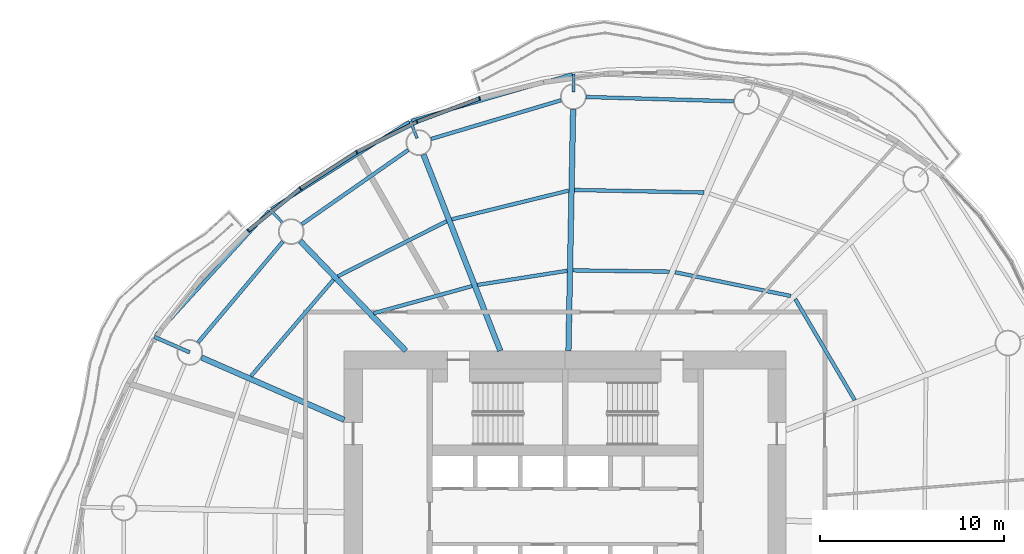
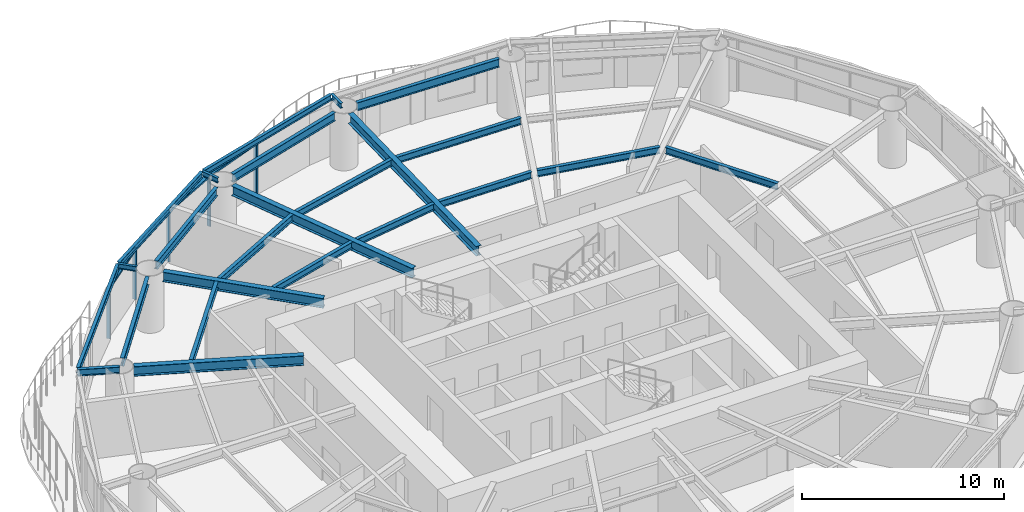
# One storey, part 5 of 15: 24 beams, 9 members, 4 elements without a shape of their own.
"""IFC4 building model written with IfcOpenShell, lengths in metres."""

from ifc_helpers import new_model, si_unit, direction, frame, origin, origin_2d, place, context, subcontext, project, spatial, rectangle, i_section, extrude, material, material_profile, profile_set, type_object, element, aggregate, save


model = new_model("IFC4")

# Units and contexts
model_context = context("Model", 3, precision=1e-05, world=origin(), true_north=direction((0.0, 1.0)))
body_context = subcontext(model_context, "Body", "Model", "MODEL_VIEW")
ifc_project = project(units=[si_unit("LENGTHUNIT", "METRE"), si_unit("AREAUNIT", "SQUARE_METRE"), si_unit("VOLUMEUNIT", "CUBIC_METRE"), si_unit("PLANEANGLEUNIT", "RADIAN"), si_unit("MASSUNIT", "GRAM", prefix="KILO")], contexts=[model_context])

# Site, building, storey
site_placement = place(None, origin())
site = spatial("IfcSite", under=ifc_project, at=site_placement, CompositionType="ELEMENT")
building_placement = place(site_placement, origin())
building = spatial("IfcBuilding", under=site, at=building_placement, Name="Vermilion Reach Broadcast Tower", CompositionType="ELEMENT")
storey_placement = place(building_placement, frame((0.0, 0.0, 154.199951171875)))
storey = spatial("IfcBuildingStorey", under=building, at=storey_placement, Name="L36", CompositionType="ELEMENT", Elevation=154.199951171875)

# Beams
ifc_material_1 = material(Name="Steel S355J2", Category="steel")
ifc_material_profile_1 = material_profile(ifc_material_1, i_section(OverallWidth=0.175048828125, OverallDepth=0.35009765625, WebThickness=0.007080078125, FlangeThickness=0.010986328125, at=origin_2d()), Name="S355J2 HN 350x175x7x11")
ifc_profile_set_1 = profile_set([ifc_material_profile_1], Name="Steel S355J2")
beam_type_1 = type_object("IfcBeamType", Name="EB3 HN 350x175x7x11", PredefinedType="BEAM", material=ifc_profile_set_1)
beam_1_placement = place(storey_placement, frame((-5.609619140625, 24.0166015625, 3.275146484375), z_axis=(-0.960595798955, -0.277949115902, 0.0), x_axis=(0.277949115902, -0.960595798955, 0.0)))
element("IfcBeam", 1, at=beam_1_placement, inside=storey, type_object=beam_type_1, Name="Edge beam EB3-03", PredefinedType="BEAM", context=body_context, shape_type="SweptSolid", body=[
    extrude(i_section(OverallWidth=0.175048828125, OverallDepth=0.35009765625, WebThickness=0.007080078125, FlangeThickness=0.010986328125, at=origin_2d()), origin(), (0.0, 0.0, 1.0), 9.085693359375),
])
beam_2_placement = place(storey_placement, frame((-14.474365234375, 21.429443359375, 3.275146484375), z_axis=(-0.845215585197, -0.534425499523, 0.0), x_axis=(0.534425499523, -0.845215585197, 0.0)))
element("IfcBeam", 2, at=beam_2_placement, inside=storey, type_object=beam_type_1, Name="Edge beam EB3-04", PredefinedType="BEAM", context=body_context, shape_type="SweptSolid", body=[
    extrude(i_section(OverallWidth=0.175048828125, OverallDepth=0.35009765625, WebThickness=0.007080078125, FlangeThickness=0.010986328125, at=origin_2d()), origin(), (0.0, 0.0, 1.0), 8.854736328125),
])
beam_3_placement = place(storey_placement, frame((-22.073974609375, 16.600830078125, 3.275146484375), z_axis=(-0.673897673609, -0.738824691997, 0.0), x_axis=(0.738824691997, -0.673897673609, 0.0)))
element("IfcBeam", 3, at=beam_3_placement, inside=storey, type_object=beam_type_1, Name="Edge beam EB3-05", PredefinedType="BEAM", context=body_context, shape_type="SweptSolid", body=[
    extrude(i_section(OverallWidth=0.175048828125, OverallDepth=0.35009765625, WebThickness=0.007080078125, FlangeThickness=0.010986328125, at=origin_2d()), origin(), (0.0, 0.0, 1.0), 9.159912109375),
])
ifc_material_2 = material(Name="Steel S355J2", Category="steel")
ifc_material_profile_2 = material_profile(ifc_material_2, i_section(OverallWidth=0.300048828125, OverallDepth=0.587890625, WebThickness=0.011962890625, FlangeThickness=0.02001953125, at=origin_2d()), Name="S355J2 HM 588x300x12x20")
ifc_profile_set_2 = profile_set([ifc_material_profile_2], Name="Steel S355J2")
beam_type_2 = type_object("IfcBeamType", Name="G3 HM 588x300x12x20", PredefinedType="BEAM", material=ifc_profile_set_2)
beam_4_placement = place(storey_placement, frame((-5.82568359375, 9.0, 3.156005859375), z_axis=(0.019378372481, 0.99981222171, 0.0), x_axis=(-0.99981222171, 0.019378372481, 0.0)))
element("IfcBeam", 4, at=beam_4_placement, inside=storey, type_object=beam_type_2, Name="Girder G3-03", PredefinedType="BEAM", context=body_context, shape_type="SweptSolid", body=[
    extrude(i_section(OverallWidth=0.300048828125, OverallDepth=0.587890625, WebThickness=0.011962890625, FlangeThickness=0.02001953125, at=origin_2d()), origin(), (0.0, 0.0, 1.0), 13.1025390625),
])
beam_5_placement = place(storey_placement, frame((-9.525146484375, 9.0, 3.156005859375), z_axis=(-0.364715649973, 0.931118947646, 0.0), x_axis=(-0.931118947646, -0.364715649973, 0.0)))
element("IfcBeam", 5, at=beam_5_placement, inside=storey, type_object=beam_type_2, Name="Girder G3-04", PredefinedType="BEAM", context=body_context, shape_type="SweptSolid", body=[
    extrude(i_section(OverallWidth=0.300048828125, OverallDepth=0.587890625, WebThickness=0.011962890625, FlangeThickness=0.02001953125, at=origin_2d()), origin(), (0.0, 0.0, 1.0), 11.436767578125),
])
beam_6_placement = place(storey_placement, frame((-14.657958984375, 9.0, 3.156005859375), z_axis=(-0.693282657492, 0.72066577331, 0.0), x_axis=(-0.72066577331, -0.693282657492, 0.0)))
element("IfcBeam", 6, at=beam_6_placement, inside=storey, type_object=beam_type_2, Name="Girder G3-05", PredefinedType="BEAM", context=body_context, shape_type="SweptSolid", body=[
    extrude(i_section(OverallWidth=0.300048828125, OverallDepth=0.587890625, WebThickness=0.011962890625, FlangeThickness=0.02001953125, at=origin_2d()), origin(), (0.0, 0.0, 1.0), 8.273681640625),
])
beam_7_placement = place(storey_placement, frame((-18.0, 5.2451171875, 3.156005859375), z_axis=(-0.916287847036, 0.400520388213, 0.0), x_axis=(-0.400520388213, -0.916287847036, 0.0)))
element("IfcBeam", 7, at=beam_7_placement, inside=storey, type_object=beam_type_2, Name="Girder G3-06", PredefinedType="BEAM", context=body_context, shape_type="SweptSolid", body=[
    extrude(i_section(OverallWidth=0.300048828125, OverallDepth=0.587890625, WebThickness=0.011962890625, FlangeThickness=0.02001953125, at=origin_2d()), origin(), (0.0, 0.0, 1.0), 8.45458984375),
])
ifc_material_3 = material(Name="Steel S355J2", Category="steel")
ifc_material_profile_3 = material_profile(ifc_material_3, i_section(OverallWidth=0.199951171875, OverallDepth=0.39990234375, WebThickness=0.008056640625, FlangeThickness=0.012939453125, at=origin_2d()), Name="S355J2 HN 400x200x8x13")
ifc_profile_set_3 = profile_set([ifc_material_profile_3], Name="Steel S355J2")
beam_type_3 = type_object("IfcBeamType", Name="GC3 HN 400x200x8x13", PredefinedType="BEAM", material=ifc_profile_set_3)
beam_8_placement = place(storey_placement, frame((-26.38818359375, 8.91162109375, 3.25), z_axis=(-0.916284997862, 0.400526906328, 0.0), x_axis=(-0.400526906328, -0.916284997862, 0.0)))
element("IfcBeam", 8, at=beam_8_placement, inside=storey, type_object=beam_type_3, Name="Cantilever girder GC3-06", PredefinedType="BEAM", context=body_context, shape_type="SweptSolid", body=[
    extrude(i_section(OverallWidth=0.199951171875, OverallDepth=0.39990234375, WebThickness=0.008056640625, FlangeThickness=0.012939453125, at=origin_2d()), origin(), (0.0, 0.0, 1.0), 2.10595703125),
])
ifc_material_4 = material(Name="Steel S355J2", Category="steel")
ifc_material_profile_4 = material_profile(ifc_material_4, i_section(OverallWidth=0.14990234375, OverallDepth=0.300048828125, WebThickness=0.006591796875, FlangeThickness=0.009033203125, at=origin_2d()), Name="S355J2 HN 300x150x6.5x9")
ifc_profile_set_4 = profile_set([ifc_material_profile_4], Name="Steel S355J2")
beam_type_4 = type_object("IfcBeamType", Name="GS3 HN 300x150x6.5x9", PredefinedType="BEAM", material=ifc_profile_set_4)
for number, where, z_axis, x_axis, name in (
    (9, (-5.5537109375, 23.038818359375, 3.300048828125), (0.019532292583, 0.999809226576, 0.0), (-0.999809226576, 0.019532292583, 0.0), "Cantilever stub GS3-03"),
    (10, (-14.044921875, 20.5390625, 3.300048828125), (-0.364730702407, 0.931113051526, 0.0), (-0.931113051526, -0.364730702407, 0.0), "Cantilever stub GS3-04"),
    (11, (-21.329833984375, 15.935791015625, 3.300048828125), (-0.693303837595, 0.720645397388, 0.0), (-0.720645397388, -0.693303837595, 0.0), "Cantilever stub GS3-05"),
):
    element("IfcBeam", number, at=place(storey_placement, frame(where, z_axis=z_axis, x_axis=x_axis)), inside=storey, type_object=beam_type_4, Name=name, PredefinedType="BEAM", context=body_context, shape_type="SweptSolid", body=[
        extrude(i_section(OverallWidth=0.14990234375, OverallDepth=0.300048828125, WebThickness=0.006591796875, FlangeThickness=0.009033203125, at=origin_2d()), origin(), (0.0, 0.0, 1.0), 1.0),
    ])
ifc_material_5 = material(Name="Steel S355J2", Category="steel")
ifc_material_profile_5 = material_profile(ifc_material_5, i_section(OverallWidth=0.199951171875, OverallDepth=0.5, WebThickness=0.010009765625, FlangeThickness=0.01611328125, at=origin_2d()), Name="S355J2 HN 500x200x10x16")
ifc_profile_set_5 = profile_set([ifc_material_profile_5], Name="Steel S355J2")
beam_type_5 = type_object("IfcBeamType", Name="RB3 HN 500x200x10x16", PredefinedType="BEAM", material=ifc_profile_set_5)
beam_9_placement = place(storey_placement, frame((3.1455078125, 22.544677734375, 3.199951171875), z_axis=(-0.999569781146, 0.029330063427, 0.0), x_axis=(-0.029330063427, -0.999569781146, 0.0)))
element("IfcBeam", 12, at=beam_9_placement, inside=storey, type_object=beam_type_5, Name="Ring beam RB3-02", PredefinedType="BEAM", context=body_context, shape_type="SweptSolid", body=[
    extrude(i_section(OverallWidth=0.199951171875, OverallDepth=0.5, WebThickness=0.010009765625, FlangeThickness=0.01611328125, at=origin_2d()), origin(), (0.0, 0.0, 1.0), 8.007568359375),
])
beam_10_placement = place(storey_placement, frame((-6.229248046875, 22.60009765625, 3.199951171875), z_axis=(-0.958416970322, -0.285371531516, 0.0), x_axis=(0.285371531516, -0.958416970322, 0.0)))
element("IfcBeam", 13, at=beam_10_placement, inside=storey, type_object=beam_type_5, Name="Ring beam RB3-03", PredefinedType="BEAM", context=body_context, shape_type="SweptSolid", body=[
    extrude(i_section(OverallWidth=0.199951171875, OverallDepth=0.5, WebThickness=0.010009765625, FlangeThickness=0.01611328125, at=origin_2d()), origin(), (0.0, 0.0, 1.0), 7.357421875),
])
beam_11_placement = place(storey_placement, frame((-14.525634765625, 19.900146484375, 3.199951171875), z_axis=(-0.820111453349, -0.572203813415, 0.0), x_axis=(0.572203813415, -0.820111453349, 0.0)))
element("IfcBeam", 14, at=beam_11_placement, inside=storey, type_object=beam_type_5, Name="Ring beam RB3-04", PredefinedType="BEAM", context=body_context, shape_type="SweptSolid", body=[
    extrude(i_section(OverallWidth=0.199951171875, OverallDepth=0.5, WebThickness=0.010009765625, FlangeThickness=0.01611328125, at=origin_2d()), origin(), (0.0, 0.0, 1.0), 7.04736328125),
])
beam_12_placement = place(storey_placement, frame((-21.32958984375, 14.931396484375, 3.199951171875), z_axis=(-0.643350337931, -0.765571905626, 0.0), x_axis=(0.765571905626, -0.643350337931, 0.0)))
element("IfcBeam", 15, at=beam_12_placement, inside=storey, type_object=beam_type_5, Name="Ring beam RB3-05", PredefinedType="BEAM", context=body_context, shape_type="SweptSolid", body=[
    extrude(i_section(OverallWidth=0.199951171875, OverallDepth=0.5, WebThickness=0.010009765625, FlangeThickness=0.01611328125, at=origin_2d()), origin(), (0.0, 0.0, 1.0), 7.1630859375),
])
ifc_material_6 = material(Name="Steel S355J2", Category="steel")
ifc_material_profile_6 = material_profile(ifc_material_6, i_section(OverallWidth=0.199951171875, OverallDepth=0.39990234375, WebThickness=0.008056640625, FlangeThickness=0.012939453125, at=origin_2d()), Name="S355J2 HN 400x200x8x13")
ifc_profile_set_6 = profile_set([ifc_material_profile_6], Name="Steel S355J2")
beam_type_6 = type_object("IfcBeamType", Name="SB3 HN 400x200x8x13", PredefinedType="BEAM", material=ifc_profile_set_6)
beam_13_placement = place(storey_placement, frame((6.232666015625, 11.975830078125, 3.25), z_axis=(-0.97956765607, 0.201114910391, 0.0), x_axis=(-0.201114910391, -0.97956765607, 0.0)))
element("IfcBeam", 16, at=beam_13_placement, inside=storey, type_object=beam_type_6, Name="Secondary beam SB3-01-1", PredefinedType="BEAM", context=body_context, shape_type="SweptSolid", body=[
    extrude(i_section(OverallWidth=0.199951171875, OverallDepth=0.39990234375, WebThickness=0.008056640625, FlangeThickness=0.012939453125, at=origin_2d()), origin(), (0.0, 0.0, 1.0), 6.40234375),
])
beam_14_placement = place(storey_placement, frame((-0.351806640625, 13.29638671875, 3.25), z_axis=(-0.999914891843, 0.013046419838, 0.0), x_axis=(-0.013046419838, -0.999914891843, 0.0)))
element("IfcBeam", 17, at=beam_14_placement, inside=storey, type_object=beam_type_6, Name="Secondary beam SB3-02-1", PredefinedType="BEAM", context=body_context, shape_type="SweptSolid", body=[
    extrude(i_section(OverallWidth=0.199951171875, OverallDepth=0.39990234375, WebThickness=0.008056640625, FlangeThickness=0.012939453125, at=origin_2d()), origin(), (0.0, 0.0, 1.0), 5.23974609375),
])
beam_15_placement = place(storey_placement, frame((1.525634765625, 17.591552734375, 3.25), z_axis=(-0.999804929321, 0.019751033045, 0.0), x_axis=(-0.019751033045, -0.999804929321, 0.0)))
element("IfcBeam", 18, at=beam_15_placement, inside=storey, type_object=beam_type_6, Name="Secondary beam SB3-02-2", PredefinedType="BEAM", context=body_context, shape_type="SweptSolid", body=[
    extrude(i_section(OverallWidth=0.199951171875, OverallDepth=0.39990234375, WebThickness=0.008056640625, FlangeThickness=0.012939453125, at=origin_2d()), origin(), (0.0, 0.0, 1.0), 7.033447265625),
])
beam_16_placement = place(storey_placement, frame((-5.8916015625, 13.343017578125, 3.25), z_axis=(-0.987756142208, -0.15600578044, 0.0), x_axis=(0.15600578044, -0.987756142208, 0.0)))
element("IfcBeam", 19, at=beam_16_placement, inside=storey, type_object=beam_type_6, Name="Secondary beam SB3-03-1", PredefinedType="BEAM", context=body_context, shape_type="SweptSolid", body=[
    extrude(i_section(OverallWidth=0.199951171875, OverallDepth=0.39990234375, WebThickness=0.008056640625, FlangeThickness=0.012939453125, at=origin_2d()), origin(), (0.0, 0.0, 1.0), 4.9326171875),
])
beam_17_placement = place(storey_placement, frame((-5.80712890625, 17.6962890625, 3.25), z_axis=(-0.971111691931, -0.238625400566, 0.0), x_axis=(0.238625400566, -0.971111691931, 0.0)))
element("IfcBeam", 20, at=beam_17_placement, inside=storey, type_object=beam_type_6, Name="Secondary beam SB3-03-2", PredefinedType="BEAM", context=body_context, shape_type="SweptSolid", body=[
    extrude(i_section(OverallWidth=0.199951171875, OverallDepth=0.39990234375, WebThickness=0.008056640625, FlangeThickness=0.012939453125, at=origin_2d()), origin(), (0.0, 0.0, 1.0), 6.540771484375),
])
beam_18_placement = place(storey_placement, frame((-11.06103515625, 12.509521484375, 3.25), z_axis=(-0.963889790258, -0.266301468708, 0.0), x_axis=(0.266301468708, -0.963889790258, 0.0)))
element("IfcBeam", 21, at=beam_18_placement, inside=storey, type_object=beam_type_6, Name="Secondary beam SB3-04-1", PredefinedType="BEAM", context=body_context, shape_type="SweptSolid", body=[
    extrude(i_section(OverallWidth=0.199951171875, OverallDepth=0.39990234375, WebThickness=0.008056640625, FlangeThickness=0.012939453125, at=origin_2d()), origin(), (0.0, 0.0, 1.0), 5.544677734375),
])
beam_19_placement = place(storey_placement, frame((-12.4404296875, 16.03125, 3.25), z_axis=(-0.892320561657, -0.451402276516, 0.0), x_axis=(0.451402276516, -0.892320561657, 0.0)))
element("IfcBeam", 22, at=beam_19_placement, inside=storey, type_object=beam_type_6, Name="Secondary beam SB3-04-2", PredefinedType="BEAM", context=body_context, shape_type="SweptSolid", body=[
    extrude(i_section(OverallWidth=0.199951171875, OverallDepth=0.39990234375, WebThickness=0.008056640625, FlangeThickness=0.012939453125, at=origin_2d()), origin(), (0.0, 0.0, 1.0), 6.613525390625),
])
beam_20_placement = place(storey_placement, frame((-18.579833984375, 12.860595703125, 3.25), z_axis=(-0.650167134505, -0.759791219487, 0.0), x_axis=(0.759791219487, -0.650167134505, 0.0)))
element("IfcBeam", 23, at=beam_20_placement, inside=storey, type_object=beam_type_6, Name="Secondary beam SB3-05-2", PredefinedType="BEAM", context=body_context, shape_type="SweptSolid", body=[
    extrude(i_section(OverallWidth=0.199951171875, OverallDepth=0.39990234375, WebThickness=0.008056640625, FlangeThickness=0.012939453125, at=origin_2d()), origin(), (0.0, 0.0, 1.0), 6.89501953125),
])
beam_21_placement = place(storey_placement, frame((9.71923828125, 6.318115234375, 3.25), z_axis=(-0.507249643612, 0.861799163991, 0.0), x_axis=(-0.861799163991, -0.507249643612, 0.0)))
element("IfcBeam", 24, at=beam_21_placement, inside=storey, type_object=beam_type_6, Name="Secondary beam SB3-16-1", PredefinedType="BEAM", context=body_context, shape_type="SweptSolid", body=[
    extrude(i_section(OverallWidth=0.199951171875, OverallDepth=0.39990234375, WebThickness=0.008056640625, FlangeThickness=0.012939453125, at=origin_2d()), origin(), (0.0, 0.0, 1.0), 6.3681640625),
])

# Curtain wall, member
ifc_material_7 = material(Name="Low-e laminated clear glass in aluminium frame", Category="aluminium")
curtain_wall_type = type_object("IfcCurtainWallType", Name="Slot curtain wall", PredefinedType="NOTDEFINED", material=ifc_material_7)
placement = place(storey_placement, origin())
curtain_wall_1 = element("IfcCurtainWall", 25, at=placement, inside=storey, type_object=curtain_wall_type, Name="Slot curtain wall L36 10", PredefinedType="NOTDEFINED")
ifc_material_8 = material(Name="Anodised aluminium", Category="aluminium")
ifc_material_profile_7 = material_profile(ifc_material_8, rectangle(XDim=0.199951171875, YDim=0.080078125, at=origin_2d()), Name="Slot mullion 80 x 200")
ifc_profile_set_7 = profile_set([ifc_material_profile_7], Name="Anodised aluminium")
member_type_1 = type_object("IfcMemberType", Name="Slot mullion 80 x 200", PredefinedType="MULLION", material=ifc_profile_set_7)
member_1_placement = place(storey_placement, frame((-10.651123046875, 22.70068359375, 0.0), z_axis=(0.0, 0.0, 1.0), x_axis=(0.298357889035, -0.954454069115, 0.0)))
member_1 = element("IfcMember", 26, at=member_1_placement, type_object=member_type_1, Name="Slot mullion L36 10", PredefinedType="MULLION", context=body_context, shape_type="SweptSolid", body=[
    extrude(rectangle(XDim=0.199951171875, YDim=0.080078125, at=origin_2d()), origin(), (0.0, 0.0, 1.0), 3.10009765625),
])

curtain_wall_2 = element("IfcCurtainWall", 27, at=placement, inside=storey, type_object=curtain_wall_type, Name="Slot curtain wall L36 11", PredefinedType="NOTDEFINED")
member_2_placement = place(storey_placement, frame((-14.052001953125, 21.428955078125, 0.0), z_axis=(0.0, 0.0, 1.0), x_axis=(0.40025422953, -0.916404142147, 0.0)))
member_2 = element("IfcMember", 28, at=member_2_placement, type_object=member_type_1, Name="Slot mullion L36 11", PredefinedType="MULLION", context=body_context, shape_type="SweptSolid", body=[
    extrude(rectangle(XDim=0.199951171875, YDim=0.080078125, at=origin_2d()), origin(), (0.0, 0.0, 1.0), 3.10009765625),
])

curtain_wall_3 = element("IfcCurtainWall", 29, at=placement, inside=storey, type_object=curtain_wall_type, Name="Slot curtain wall L36 12", PredefinedType="NOTDEFINED")
member_3_placement = place(storey_placement, frame((-17.31494140625, 19.788818359375, 0.0), z_axis=(0.0, 0.0, 1.0), x_axis=(0.496368063107, -0.868112173585, 0.0)))
member_3 = element("IfcMember", 30, at=member_3_placement, type_object=member_type_1, Name="Slot mullion L36 12", PredefinedType="MULLION", context=body_context, shape_type="SweptSolid", body=[
    extrude(rectangle(XDim=0.199951171875, YDim=0.080078125, at=origin_2d()), origin(), (0.0, 0.0, 1.0), 3.10009765625),
])

# Curtain wall, members
curtain_wall_4 = element("IfcCurtainWall", 31, at=placement, inside=storey, type_object=curtain_wall_type, Name="Slot curtain wall L36 13", PredefinedType="NOTDEFINED")
member_4_placement = place(storey_placement, frame((-20.38330078125, 17.808837890625, 0.0), z_axis=(0.0, 0.0, 1.0), x_axis=(0.586738960027, -0.809776137452, 0.0)))
member_4 = element("IfcMember", 32, at=member_4_placement, type_object=member_type_1, Name="Slot mullion L36 13", PredefinedType="MULLION", context=body_context, shape_type="SweptSolid", body=[
    extrude(rectangle(XDim=0.199951171875, YDim=0.080078125, at=origin_2d()), origin(), (0.0, 0.0, 1.0), 3.10009765625),
])
member_5_placement = place(storey_placement, frame((-23.204345703125, 15.52294921875, 0.0), z_axis=(0.0, 0.0, 1.0), x_axis=(0.671216178054, -0.741261655773, 0.0)))
member_5 = element("IfcMember", 33, at=member_5_placement, type_object=member_type_1, Name="Slot mullion L36 14", PredefinedType="MULLION", context=body_context, shape_type="SweptSolid", body=[
    extrude(rectangle(XDim=0.199951171875, YDim=0.080078125, at=origin_2d()), origin(), (0.0, 0.0, 1.0), 3.10009765625),
])

# Member
ifc_material_9 = material(Name="Anodised aluminium", Category="aluminium")
ifc_material_profile_8 = material_profile(ifc_material_9, rectangle(XDim=0.199951171875, YDim=0.10009765625, at=origin_2d()), Name="Slot transom 200 x 100")
ifc_profile_set_8 = profile_set([ifc_material_profile_8], Name="Anodised aluminium")
member_type_2 = type_object("IfcMemberType", Name="Slot transom 200 x 100", PredefinedType="USERDEFINED", material=ifc_profile_set_8)
member_6_placement = place(storey_placement, frame((-10.6884765625, 22.6865234375, 3.050048828125), z_axis=(-0.936667788588, -0.350219151135, 0.0), x_axis=(0.350219151135, -0.936667788588, 0.0)))
member_6 = element("IfcMember", 34, at=member_6_placement, type_object=member_type_2, Name="Slot transom L36 10.1", ObjectType="TRANSOM", PredefinedType="USERDEFINED", context=body_context, shape_type="SweptSolid", body=[
    extrude(rectangle(XDim=0.199951171875, YDim=0.10009765625, at=origin_2d()), origin(), (0.0, 0.0, 1.0), 3.551025390625),
])

aggregate(curtain_wall_1, [member_1, member_6])

member_7_placement = place(storey_placement, frame((-14.087646484375, 21.410888671875, 3.050048828125), z_axis=(-0.893495673285, -0.449071800297, 0.0), x_axis=(0.449071800297, -0.893495673285, 0.0)))
member_7 = element("IfcMember", 35, at=member_7_placement, type_object=member_type_2, Name="Slot transom L36 11.1", ObjectType="TRANSOM", PredefinedType="USERDEFINED", context=body_context, shape_type="SweptSolid", body=[
    extrude(rectangle(XDim=0.199951171875, YDim=0.10009765625, at=origin_2d()), origin(), (0.0, 0.0, 1.0), 3.57177734375),
])

aggregate(curtain_wall_2, [member_2, member_7])

member_8_placement = place(storey_placement, frame((-17.348388671875, 19.76708984375, 3.050048828125), z_axis=(-0.840264504223, -0.542176689782, 0.0), x_axis=(0.542176689782, -0.840264504223, 0.0)))
member_8 = element("IfcMember", 36, at=member_8_placement, type_object=member_type_2, Name="Slot transom L36 12.1", ObjectType="TRANSOM", PredefinedType="USERDEFINED", context=body_context, shape_type="SweptSolid", body=[
    extrude(rectangle(XDim=0.199951171875, YDim=0.10009765625, at=origin_2d()), origin(), (0.0, 0.0, 1.0), 3.57177734375),
])

aggregate(curtain_wall_3, [member_3, member_8])

member_9_placement = place(storey_placement, frame((-20.414306640625, 17.78369140625, 3.050048828125), z_axis=(-0.776956599481, -0.629554161707, 0.0), x_axis=(0.629554161707, -0.776956599481, 0.0)))
member_9 = element("IfcMember", 37, at=member_9_placement, type_object=member_type_2, Name="Slot transom L36 13.1", ObjectType="TRANSOM", PredefinedType="USERDEFINED", context=body_context, shape_type="SweptSolid", body=[
    extrude(rectangle(XDim=0.199951171875, YDim=0.10009765625, at=origin_2d()), origin(), (0.0, 0.0, 1.0), 3.551025390625),
])

aggregate(curtain_wall_4, [member_4, member_5, member_9])

save(model, "model.ifc")
